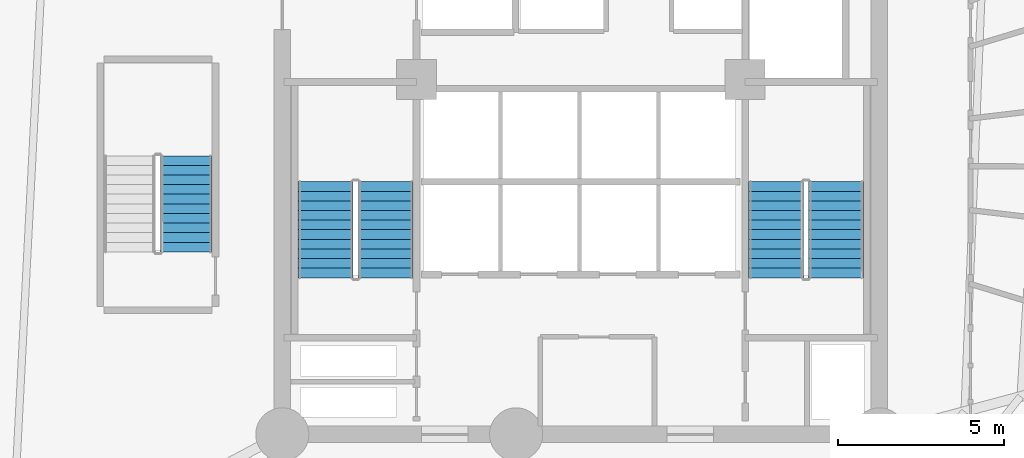
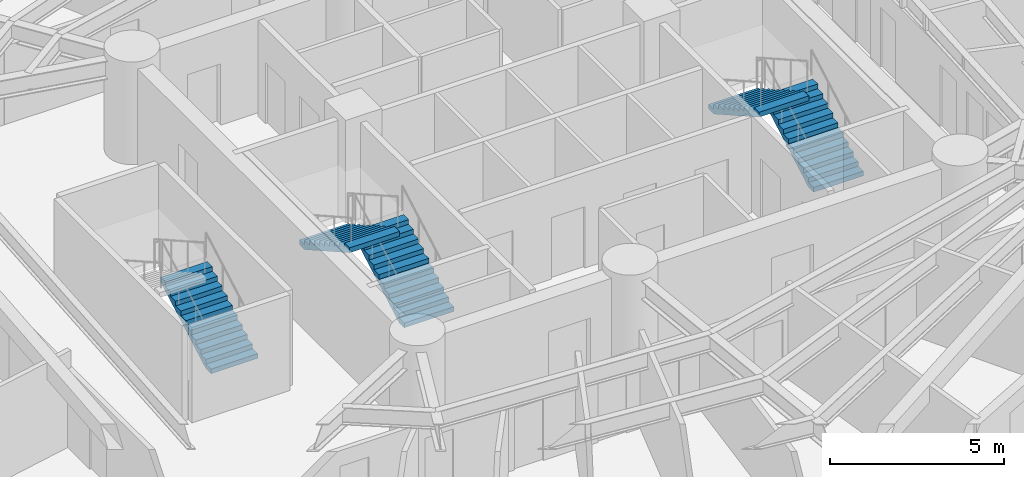
# One storey, part 7 of 8: 5 stair flights, 3 elements without a shape of their own.
"""IFC4 building model written with IfcOpenShell, lengths in metres."""

from ifc_helpers import new_model, si_unit, direction, frame, origin, place, context, subcontext, project, spatial, polyline, outline, extrude, material, type_object, element, aggregate, save


model = new_model("IFC4")

# Units and contexts
model_context = context("Model", 3, precision=1e-05, world=origin(), true_north=direction((0.0, 1.0)))
body_context = subcontext(model_context, "Body", "Model", "MODEL_VIEW")
ifc_project = project(units=[si_unit("LENGTHUNIT", "METRE"), si_unit("AREAUNIT", "SQUARE_METRE"), si_unit("VOLUMEUNIT", "CUBIC_METRE"), si_unit("PLANEANGLEUNIT", "RADIAN"), si_unit("MASSUNIT", "GRAM", prefix="KILO")], contexts=[model_context])

# Site, building, storey
site_placement = place(None, origin())
site = spatial("IfcSite", under=ifc_project, at=site_placement, CompositionType="ELEMENT")
building_placement = place(site_placement, origin())
building = spatial("IfcBuilding", under=site, at=building_placement, Name="Karkom Vertical University and Central Library", CompositionType="ELEMENT")
storey_placement = place(building_placement, frame((0.0, 0.0, 55.300048828125)))
storey = spatial("IfcBuildingStorey", under=building, at=storey_placement, Name="L14", CompositionType="ELEMENT", Elevation=55.300048828125)

# Stair, stair flights
ifc_material = material(Name="Concrete C45/55", Category="concrete")
stair_type_1 = type_object("IfcStairType", Name="INT-STR-ST-MAIN", PredefinedType="HALF_TURN_STAIR", material=ifc_material)
stair_1_placement = place(storey_placement, origin())
stair_1 = element("IfcStair", 1, at=stair_1_placement, inside=storey, type_object=stair_type_1, Name="Level 14 Tower Protected Exit Stair ST-1", PredefinedType="HALF_TURN_STAIR")
stair_flight_type_1 = type_object("IfcStairFlightType", Name="INT-SFL-ST-MAIN", PredefinedType="STRAIGHT", material=ifc_material)
stair_flight_1_placement = place(storey_placement, frame((22.614990234375, 23.02001953125, 0.0), z_axis=(0.0, 0.0, 1.0), x_axis=(0.0, 1.0, 0.0)))
stair_flight_1 = element("IfcStairFlight", 2, at=stair_flight_1_placement, type_object=stair_flight_type_1, Name="ST-1 flight 1", NumberOfRisers=11, NumberOfTreads=10, PredefinedType="STRAIGHT", RiserHeight=0.163636364, TreadLength=0.29, context=body_context, shape_type="SweptSolid", body=[
    extrude(outline(polyline([(0.0, 0.0), (0.0, 0.16357421875), (0.2900390625, 0.16357421875), (0.2900390625, 0.327392578125), (0.580078125, 0.327392578125), (0.580078125, 0.490966796875), (0.8701171875, 0.490966796875), (0.8701171875, 0.654541015625), (1.159912109375, 0.654541015625), (1.159912109375, 0.818115234375), (1.449951171875, 0.818115234375), (1.449951171875, 0.98193359375), (1.739990234375, 0.98193359375), (1.739990234375, 1.1455078125), (2.030029296875, 1.1455078125), (2.030029296875, 1.30908203125), (2.320068359375, 1.30908203125), (2.320068359375, 1.47265625), (2.610107421875, 1.47265625), (2.610107421875, 1.636474609375), (2.89990234375, 1.636474609375), (2.89990234375, 1.800048828125), (2.89990234375, 1.46435546875), (0.304931640625, 0.0), (0.0, 0.0)])), frame((0.0, 0.824951171875, 0.0), z_axis=(0.0, -1.0, 0.0), x_axis=(1.0, 0.0, 0.0)), (0.0, 0.0, 1.0), 1.64990234375),
])
stair_flight_2_placement = place(storey_placement, frame((20.804931640625, 25.919921875, 1.800048828125), z_axis=(0.0, 0.0, 1.0), x_axis=(0.0, -1.0, 0.0)))
stair_flight_2 = element("IfcStairFlight", 3, at=stair_flight_2_placement, type_object=stair_flight_type_1, Name="ST-1 flight 2", NumberOfRisers=11, NumberOfTreads=10, PredefinedType="STRAIGHT", RiserHeight=0.163636364, TreadLength=0.29, context=body_context, shape_type="SweptSolid", body=[
    extrude(outline(polyline([(0.0, 0.0), (0.0, 0.16357421875), (0.2900390625, 0.16357421875), (0.2900390625, 0.327392578125), (0.580078125, 0.327392578125), (0.580078125, 0.490966796875), (0.8701171875, 0.490966796875), (0.8701171875, 0.654541015625), (1.159912109375, 0.654541015625), (1.159912109375, 0.818115234375), (1.449951171875, 0.818115234375), (1.449951171875, 0.98193359375), (1.739990234375, 0.98193359375), (1.739990234375, 1.1455078125), (2.030029296875, 1.1455078125), (2.030029296875, 1.30908203125), (2.320068359375, 1.30908203125), (2.320068359375, 1.47265625), (2.610107421875, 1.47265625), (2.610107421875, 1.636474609375), (2.89990234375, 1.636474609375), (2.89990234375, 1.800048828125), (2.89990234375, 1.46435546875), (0.304931640625, 0.0), (0.0, 0.0)])), frame((0.0, 0.824951171875, 0.0), z_axis=(0.0, -1.0, 0.0), x_axis=(1.0, 0.0, 0.0)), (0.0, 0.0, 1.0), 1.64990234375),
])
aggregate(stair_1, [stair_flight_1, stair_flight_2])

stair_2_placement = place(storey_placement, origin())
stair_2 = element("IfcStair", 4, at=stair_2_placement, inside=storey, type_object=stair_type_1, Name="Level 14 Tower Protected Exit Stair ST-2", PredefinedType="HALF_TURN_STAIR")
stair_flight_3_placement = place(storey_placement, frame((36.195068359375, 23.02001953125, 0.0), z_axis=(0.0, 0.0, 1.0), x_axis=(0.0, 1.0, 0.0)))
stair_flight_3 = element("IfcStairFlight", 5, at=stair_flight_3_placement, type_object=stair_flight_type_1, Name="ST-2 flight 1", NumberOfRisers=11, NumberOfTreads=10, PredefinedType="STRAIGHT", RiserHeight=0.163636364, TreadLength=0.29, context=body_context, shape_type="SweptSolid", body=[
    extrude(outline(polyline([(0.0, 0.0), (0.0, 0.16357421875), (0.2900390625, 0.16357421875), (0.2900390625, 0.327392578125), (0.580078125, 0.327392578125), (0.580078125, 0.490966796875), (0.8701171875, 0.490966796875), (0.8701171875, 0.654541015625), (1.159912109375, 0.654541015625), (1.159912109375, 0.818115234375), (1.449951171875, 0.818115234375), (1.449951171875, 0.98193359375), (1.739990234375, 0.98193359375), (1.739990234375, 1.1455078125), (2.030029296875, 1.1455078125), (2.030029296875, 1.30908203125), (2.320068359375, 1.30908203125), (2.320068359375, 1.47265625), (2.610107421875, 1.47265625), (2.610107421875, 1.636474609375), (2.89990234375, 1.636474609375), (2.89990234375, 1.800048828125), (2.89990234375, 1.46435546875), (0.304931640625, 0.0), (0.0, 0.0)])), frame((0.0, 0.824951171875, 0.0), z_axis=(0.0, -1.0, 0.0), x_axis=(1.0, 0.0, 0.0)), (0.0, 0.0, 1.0), 1.64990234375),
])
stair_flight_4_placement = place(storey_placement, frame((34.385009765625, 25.919921875, 1.800048828125), z_axis=(0.0, 0.0, 1.0), x_axis=(0.0, -1.0, 0.0)))
stair_flight_4 = element("IfcStairFlight", 6, at=stair_flight_4_placement, type_object=stair_flight_type_1, Name="ST-2 flight 2", NumberOfRisers=11, NumberOfTreads=10, PredefinedType="STRAIGHT", RiserHeight=0.163636364, TreadLength=0.29, context=body_context, shape_type="SweptSolid", body=[
    extrude(outline(polyline([(0.0, 0.0), (0.0, 0.16357421875), (0.2900390625, 0.16357421875), (0.2900390625, 0.327392578125), (0.580078125, 0.327392578125), (0.580078125, 0.490966796875), (0.8701171875, 0.490966796875), (0.8701171875, 0.654541015625), (1.159912109375, 0.654541015625), (1.159912109375, 0.818115234375), (1.449951171875, 0.818115234375), (1.449951171875, 0.98193359375), (1.739990234375, 0.98193359375), (1.739990234375, 1.1455078125), (2.030029296875, 1.1455078125), (2.030029296875, 1.30908203125), (2.320068359375, 1.30908203125), (2.320068359375, 1.47265625), (2.610107421875, 1.47265625), (2.610107421875, 1.636474609375), (2.89990234375, 1.636474609375), (2.89990234375, 1.800048828125), (2.89990234375, 1.46435546875), (0.304931640625, 0.0), (0.0, 0.0)])), frame((0.0, 0.824951171875, 0.0), z_axis=(0.0, -1.0, 0.0), x_axis=(1.0, 0.0, 0.0)), (0.0, 0.0, 1.0), 1.64990234375),
])
aggregate(stair_2, [stair_flight_3, stair_flight_4])

# Stair, stair flight
stair_type_2 = type_object("IfcStairType", Name="INT-STR-ST-SEC", PredefinedType="HALF_TURN_STAIR", material=ifc_material)
stair_3_placement = place(storey_placement, origin())
stair_3 = element("IfcStair", 7, at=stair_3_placement, inside=storey, type_object=stair_type_2, Name="Level 14 Academic Zone Protected Exit Stair ST-3", PredefinedType="HALF_TURN_STAIR")
stair_flight_type_2 = type_object("IfcStairFlightType", Name="INT-SFL-ST-SEC", PredefinedType="STRAIGHT", material=ifc_material)
stair_flight_5_placement = place(storey_placement, frame((16.60498046875, 23.800048828125, 0.0), z_axis=(0.0, 0.0, 1.0), x_axis=(0.0, 1.0, 0.0)))
stair_flight_5 = element("IfcStairFlight", 8, at=stair_flight_5_placement, type_object=stair_flight_type_2, Name="ST-3 flight 1", NumberOfRisers=11, NumberOfTreads=10, PredefinedType="STRAIGHT", RiserHeight=0.163636364, TreadLength=0.29, context=body_context, shape_type="SweptSolid", body=[
    extrude(outline(polyline([(0.0, 0.0), (0.0, 0.16357421875), (0.2900390625, 0.16357421875), (0.2900390625, 0.327392578125), (0.580078125, 0.327392578125), (0.580078125, 0.490966796875), (0.8701171875, 0.490966796875), (0.8701171875, 0.654541015625), (1.159912109375, 0.654541015625), (1.159912109375, 0.818115234375), (1.449951171875, 0.818115234375), (1.449951171875, 0.98193359375), (1.739990234375, 0.98193359375), (1.739990234375, 1.1455078125), (2.030029296875, 1.1455078125), (2.030029296875, 1.30908203125), (2.320068359375, 1.30908203125), (2.320068359375, 1.47265625), (2.610107421875, 1.47265625), (2.610107421875, 1.636474609375), (2.89990234375, 1.636474609375), (2.89990234375, 1.800048828125), (2.89990234375, 1.46435546875), (0.304931640625, 0.0), (0.0, 0.0)])), frame((0.0, 0.77490234375, 0.0), z_axis=(0.0, -1.0, 0.0), x_axis=(1.0, 0.0, 0.0)), (0.0, 0.0, 1.0), 1.550048828125),
])
aggregate(stair_3, [stair_flight_5])

save(model, "model.ifc")
